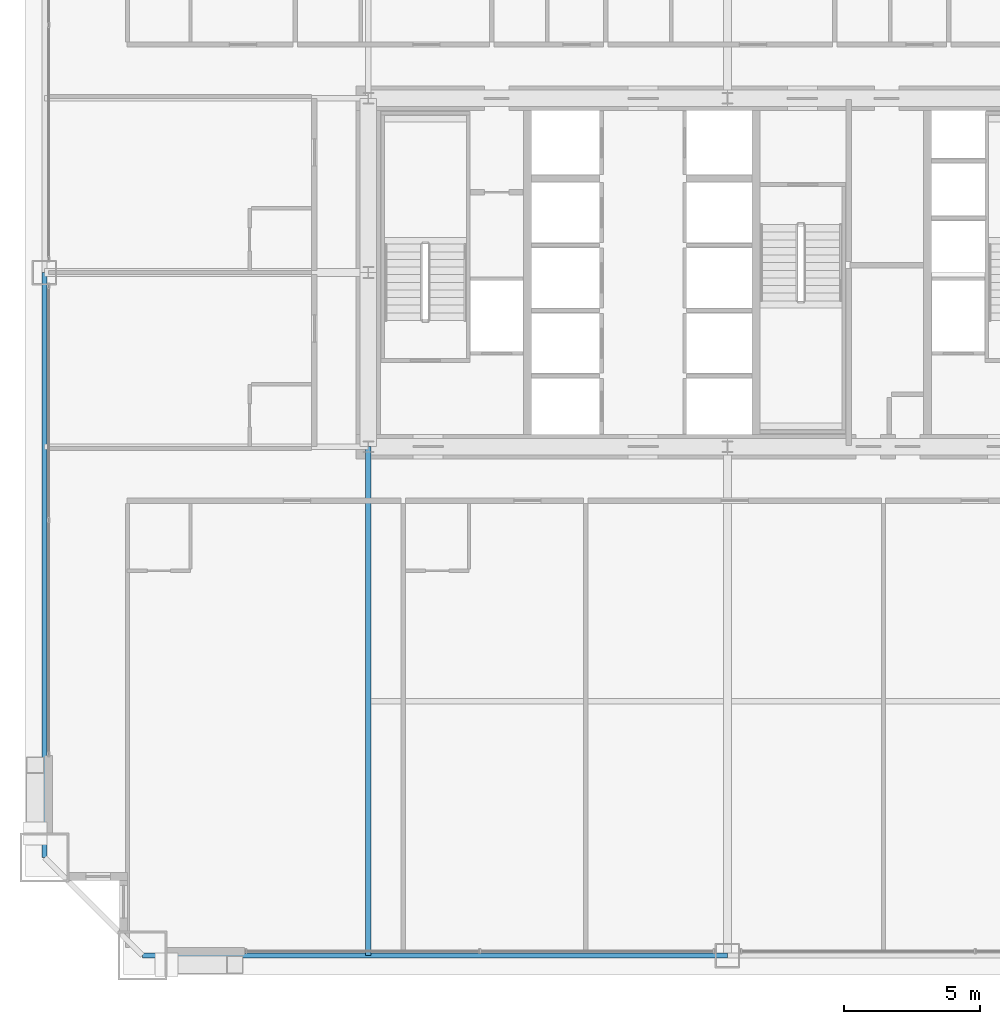
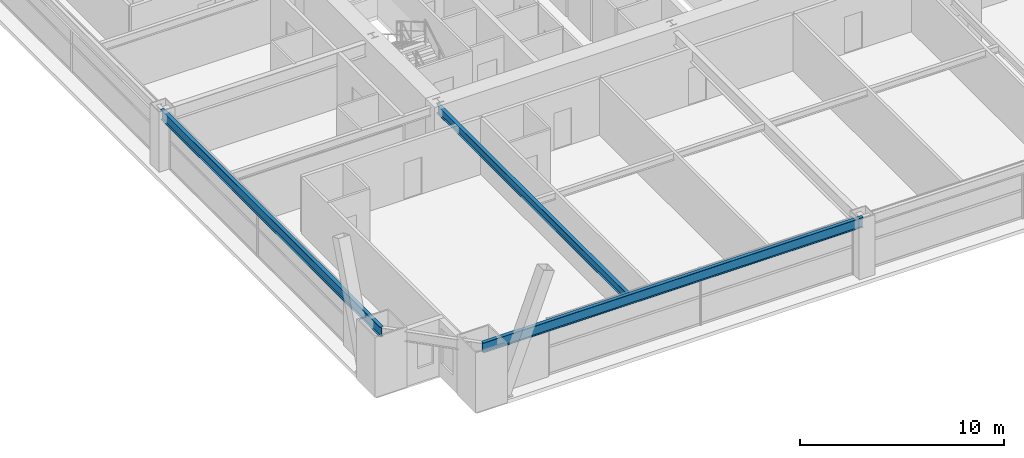
# One storey, part 4 of 43: 3 beams.
"""IFC4 building model written with IfcOpenShell, lengths in metres."""

from ifc_helpers import new_model, si_unit, direction, frame, origin, origin_2d, place, context, subcontext, project, spatial, i_section, extrude, source, transform, mapped, material, material_profile, profile_set, type_object, element, save


model = new_model("IFC4")

# Units and contexts
model_context = context("Model", 3, precision=1e-05, world=origin(), true_north=direction((0.0, 1.0)))
body_context = subcontext(model_context, "Body", "Model", "MODEL_VIEW")
ifc_project = project(units=[si_unit("LENGTHUNIT", "METRE"), si_unit("AREAUNIT", "SQUARE_METRE"), si_unit("VOLUMEUNIT", "CUBIC_METRE"), si_unit("PLANEANGLEUNIT", "RADIAN"), si_unit("MASSUNIT", "GRAM", prefix="KILO"), si_unit("THERMODYNAMICTEMPERATUREUNIT", "KELVIN"), si_unit("POWERUNIT", "WATT")], contexts=[model_context])

# Site, building, storey
site_placement = place(None, origin())
site = spatial("IfcSite", under=ifc_project, at=site_placement, CompositionType="ELEMENT")
building_placement = place(site_placement, origin())
building = spatial("IfcBuilding", under=site, at=building_placement, Name="Yuzanri Waterfront Tower", CompositionType="ELEMENT")
storey_placement = place(building_placement, frame((0.0, 0.0, 46.0)))
storey = spatial("IfcBuildingStorey", under=building, at=storey_placement, Name="L11", CompositionType="ELEMENT", Elevation=46.0)

# Beams
ifc_material_1 = material(Name="Steel Q355B", Category="steel")
ifc_material_profile_1 = material_profile(ifc_material_1, i_section(OverallWidth=0.199951171875, OverallDepth=0.60009765625, WebThickness=0.010986328125, FlangeThickness=0.01708984375, at=origin_2d()), Name="HN 600x200x11x17")
ifc_profile_set_1 = profile_set([ifc_material_profile_1], Name="Steel Q355B")
beam_type_1 = type_object("IfcBeamType", Name="Perimeter Spandrel Q355B HN 600x200", PredefinedType="SPANDREL", material=ifc_profile_set_1)
shared_shape_1 = source(origin(), body_context, "Body", "SweptSolid", [
    extrude(i_section(OverallWidth=0.199951171875, OverallDepth=0.60009765625, WebThickness=0.010986328125, FlangeThickness=0.01708984375, at=origin_2d()), origin(), (0.0, 0.0, 1.0), 21.5),
])
for number, where, z_axis, x_axis, name in (
    (1, (15.5, 0.699951171875, 3.080078125), (1.0, 0.0, 0.0), (0.0, 1.0, 0.0), "L11 Perimeter Spandrel S1-S2"),
    (2, (11.89990234375, 25.800048828125, 3.080078125), (0.0, -1.0, 0.0), (1.0, 0.0, 0.0), "L11 Perimeter Spandrel W2-W1"),
):
    element("IfcBeam", number, at=place(storey_placement, frame(where, z_axis=z_axis, x_axis=x_axis)), inside=storey, type_object=beam_type_1, Name=name, PredefinedType="SPANDREL", context=body_context, shape_type="MappedRepresentation", body=[
        mapped(shared_shape_1, transform((0.0, 0.0, 0.0), scale=1.0)),
    ])
ifc_material_2 = material(Name="Steel Q355B", Category="steel")
ifc_material_profile_2 = material_profile(ifc_material_2, i_section(OverallWidth=0.199951171875, OverallDepth=0.5, WebThickness=0.010009765625, FlangeThickness=0.01611328125, at=origin_2d()), Name="HN 500x200x10x16")
ifc_profile_set_2 = profile_set([ifc_material_profile_2], Name="Steel Q355B")
beam_type_2 = type_object("IfcBeamType", Name="Secondary Floor Beam Q355B HN 500x200", PredefinedType="BEAM", material=ifc_profile_set_2)
shared_shape_2 = source(origin(), body_context, "Body", "SweptSolid", [
    extrude(i_section(OverallWidth=0.199951171875, OverallDepth=0.5, WebThickness=0.010009765625, FlangeThickness=0.01611328125, at=origin_2d()), origin(), (0.0, 0.0, 1.0), 18.699951171875),
])
beam_placement = place(storey_placement, frame((23.800048828125, 19.39990234375, 3.1298828125), z_axis=(0.0, -1.0, 0.0), x_axis=(1.0, 0.0, 0.0)))
element("IfcBeam", 3, at=beam_placement, inside=storey, type_object=beam_type_2, Name="L11 South-West Core Line Beam", PredefinedType="BEAM", context=body_context, shape_type="MappedRepresentation", body=[
    mapped(shared_shape_2, transform((0.0, 0.0, 0.0), scale=1.0)),
])

save(model, "model.ifc")
